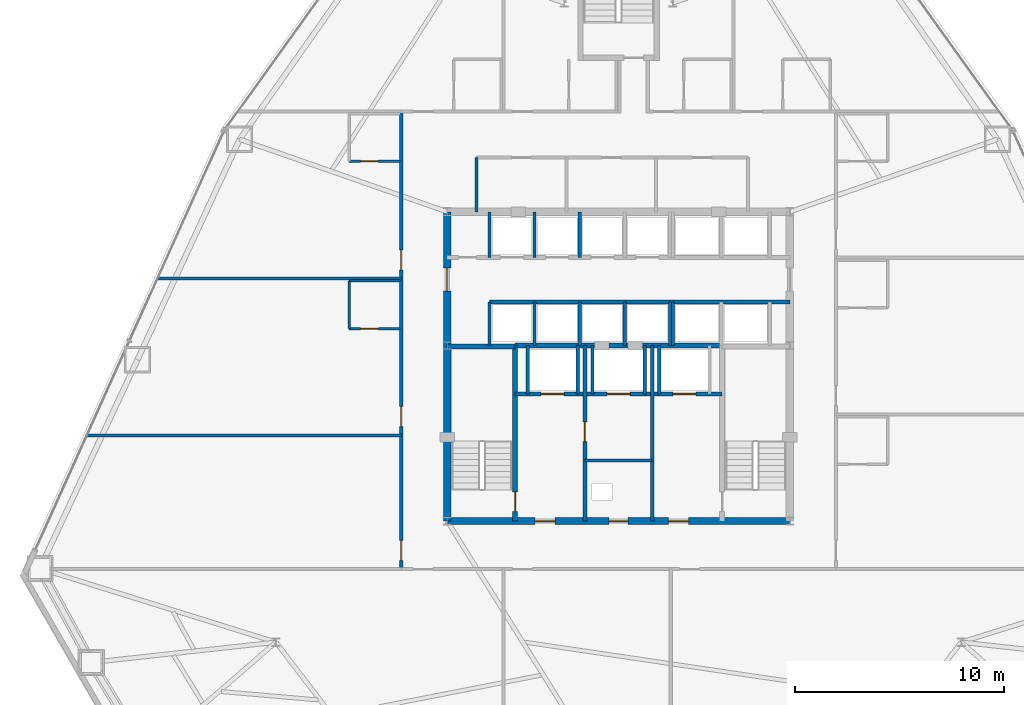
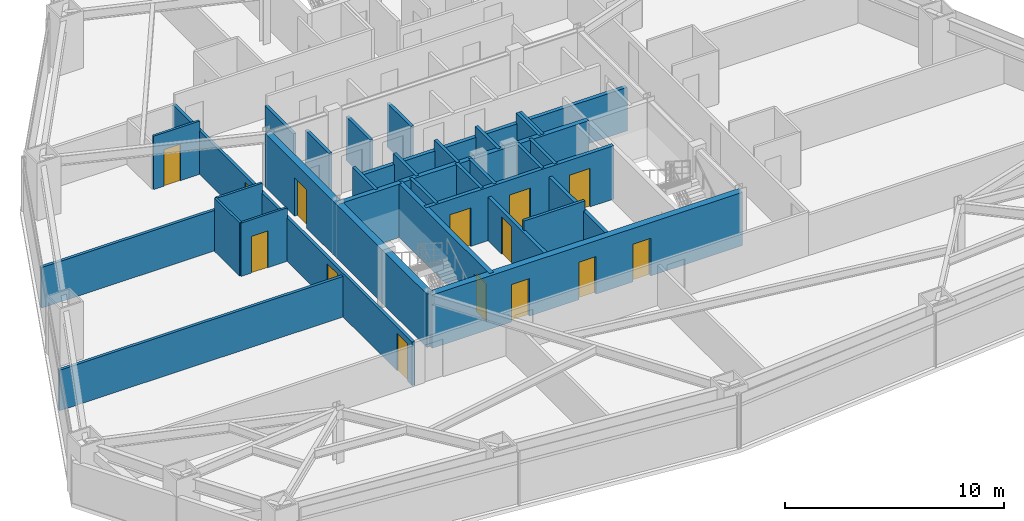
# One storey, part 9 of 12: 32 walls, 14 doors, 14 openings.
"""IFC4 building model written with IfcOpenShell, lengths in metres."""

from ifc_helpers import new_model, si_unit, direction, frame, frame_2d, origin, place, context, subcontext, project, spatial, rectangle, extrude, material, layer, layer_set, type_object, element, fill, save


model = new_model("IFC4")

# Units and contexts
model_context = context("Model", 3, precision=1e-05, world=origin(), true_north=direction((0.0, 1.0)))
body_context = subcontext(model_context, "Body", "Model", "MODEL_VIEW")
ifc_project = project(units=[si_unit("LENGTHUNIT", "METRE"), si_unit("AREAUNIT", "SQUARE_METRE"), si_unit("VOLUMEUNIT", "CUBIC_METRE"), si_unit("PLANEANGLEUNIT", "RADIAN"), si_unit("MASSUNIT", "GRAM", prefix="KILO")], contexts=[model_context])

# Site, building, storey
site_placement = place(None, origin())
site = spatial("IfcSite", under=ifc_project, at=site_placement, CompositionType="ELEMENT")
building_placement = place(site_placement, origin())
building = spatial("IfcBuilding", under=site, at=building_placement, Name="Varakhsha Concourse Tower", CompositionType="ELEMENT")
storey_placement = place(building_placement, frame((0.0, 0.0, 30.39990234375)))
storey = spatial("IfcBuildingStorey", under=building, at=storey_placement, Name="L07", CompositionType="ELEMENT", Elevation=30.39990234375)

# Wall, openings, doors
ifc_material_1 = material(Name="Concrete fc 65 MPa", Category="concrete")
ifc_layer_1 = layer(ifc_material_1, 0.35009765625, Name="WL-CORE-350")
ifc_layer_set_1 = layer_set([ifc_layer_1], Name="Concrete fc 65 MPa")
wall_type_1 = type_object("IfcWallType", Name="WL-CORE-350", PredefinedType="SHEAR", material=ifc_layer_set_1)
wall_1_placement = place(storey_placement, frame((31.800048828125, 16.39990234375, 0.0), z_axis=(0.0, 0.0, 1.0), x_axis=(1.0, 0.0, 0.0)))
wall_1 = element("IfcWall", 1, at=wall_1_placement, inside=storey, type_object=wall_type_1, Name="L07 Wall CWALL-S-L07", PredefinedType="SHEAR", context=body_context, shape_type="SweptSolid", body=[
    extrude(rectangle(XDim=16.39990234375, YDim=0.35009765625, at=frame_2d((8.199951171875, 0.0))), origin(), (0.0, 0.0, 1.0), 2.97998046875),
])
opening_1_placement = place(wall_1_placement, frame((7.75, 0.0, 0.0)))
opening_1 = element("IfcOpeningElement", 2, at=opening_1_placement, cuts=wall_1, Name="Opening DF-06", PredefinedType="OPENING", context=body_context, shape_type="SweptSolid", body=[
    extrude(rectangle(XDim=0.89990234375, YDim=2.10009765625, at=frame_2d((0.449951171875, 1.050048828125))), frame((0.0, 0.18505859375, 0.0), z_axis=(0.0, -1.0, 0.0), x_axis=(1.0, 0.0, 0.0)), (0.0, 0.0, 1.0), 0.3701171875),
])
opening_2_placement = place(wall_1_placement, frame((4.199951171875, 0.0, 0.0)))
opening_2 = element("IfcOpeningElement", 3, at=opening_2_placement, cuts=wall_1, Name="Opening DF-05", PredefinedType="OPENING", context=body_context, shape_type="SweptSolid", body=[
    extrude(rectangle(XDim=0.949951171875, YDim=2.10009765625, at=frame_2d((0.47509765625, 1.050048828125))), frame((0.0, 0.18505859375, 0.0), z_axis=(0.0, -1.0, 0.0), x_axis=(1.0, 0.0, 0.0)), (0.0, 0.0, 1.0), 0.3701171875),
])
opening_3_placement = place(wall_1_placement, frame((10.60009765625, 0.0, 0.0)))
opening_3 = element("IfcOpeningElement", 4, at=opening_3_placement, cuts=wall_1, Name="Opening DF-05", PredefinedType="OPENING", context=body_context, shape_type="SweptSolid", body=[
    extrude(rectangle(XDim=0.949951171875, YDim=2.10009765625, at=frame_2d((0.47509765625, 1.050048828125))), frame((0.0, 0.18505859375, 0.0), z_axis=(0.0, -1.0, 0.0), x_axis=(1.0, 0.0, 0.0)), (0.0, 0.0, 1.0), 0.3701171875),
])
ifc_material_2 = material(Name="Hollow Galvanised Steel Fire Door Assembly", Category="steel")
door_type_1 = type_object("IfcDoorType", Name="DR-FD60-900", OperationType="NOTDEFINED", PredefinedType="DOOR", material=ifc_material_2)
door_1_placement = place(opening_1_placement, origin())
door_1 = element("IfcDoor", 5, at=door_1_placement, inside=storey, type_object=door_type_1, Name="L07 Electrical Riser Access Door", OperationType="SINGLE_SWING_LEFT", OverallHeight=2.10009765625, OverallWidth=0.89990234375, PredefinedType="DOOR", context=body_context, shape_type="SweptSolid", body=[
    extrude(rectangle(XDim=0.89990234375, YDim=2.10009765625, at=frame_2d((0.449951171875, 1.050048828125))), frame((0.0, 0.02490234375, 0.0), z_axis=(0.0, -1.0, 0.0), x_axis=(1.0, 0.0, 0.0)), (0.0, 0.0, 1.0), 0.050048828125),
])
fill(opening_1, door_1)
door_type_2 = type_object("IfcDoorType", Name="DR-FD60-950", OperationType="NOTDEFINED", PredefinedType="DOOR", material=ifc_material_2)
door_2_placement = place(opening_2_placement, origin())
door_2 = element("IfcDoor", 6, at=door_2_placement, inside=storey, type_object=door_type_2, Name="L07 Firefighting Lobby West Door", OperationType="SINGLE_SWING_RIGHT", OverallHeight=2.10009765625, OverallWidth=0.949951171875, PredefinedType="DOOR", context=body_context, shape_type="SweptSolid", body=[
    extrude(rectangle(XDim=0.949951171875, YDim=2.10009765625, at=frame_2d((0.47509765625, 1.050048828125))), frame((0.0, 0.02490234375, 0.0), z_axis=(0.0, -1.0, 0.0), x_axis=(1.0, 0.0, 0.0)), (0.0, 0.0, 1.0), 0.050048828125),
])
fill(opening_2, door_2)
door_3_placement = place(opening_3_placement, origin())
door_3 = element("IfcDoor", 7, at=door_3_placement, inside=storey, type_object=door_type_2, Name="L07 Firefighting Lobby East Door", OperationType="SINGLE_SWING_LEFT", OverallHeight=2.10009765625, OverallWidth=0.949951171875, PredefinedType="DOOR", context=body_context, shape_type="SweptSolid", body=[
    extrude(rectangle(XDim=0.949951171875, YDim=2.10009765625, at=frame_2d((0.47509765625, 1.050048828125))), frame((0.0, 0.02490234375, 0.0), z_axis=(0.0, -1.0, 0.0), x_axis=(1.0, 0.0, 0.0)), (0.0, 0.0, 1.0), 0.050048828125),
])
fill(opening_3, door_3)

# Wall, opening, door
wall_2_placement = place(storey_placement, frame((31.800048828125, 16.39990234375, 0.0), z_axis=(0.0, 0.0, 1.0), x_axis=(0.0, 1.0, 0.0)))
wall_2 = element("IfcWall", 8, at=wall_2_placement, inside=storey, type_object=wall_type_1, Name="L07 Wall CWALL-W-L07", PredefinedType="SHEAR", context=body_context, shape_type="SweptSolid", body=[
    extrude(rectangle(XDim=14.800048828125, YDim=0.35009765625, at=frame_2d((7.39990234375, 0.0))), origin(), (0.0, 0.0, 1.0), 2.97998046875),
])
opening_4_placement = place(wall_2_placement, frame((11.0, 0.0, 0.0)))
opening_4 = element("IfcOpeningElement", 9, at=opening_4_placement, cuts=wall_2, Name="Opening DL-01", PredefinedType="OPENING", context=body_context, shape_type="SweptSolid", body=[
    extrude(rectangle(XDim=1.10009765625, YDim=2.14990234375, at=frame_2d((0.550048828125, 1.074951171875))), frame((0.0, 0.18505859375, 0.0), z_axis=(0.0, -1.0, 0.0), x_axis=(1.0, 0.0, 0.0)), (0.0, 0.0, 1.0), 0.3701171875),
])
ifc_material_3 = material(Name="Anodised Bronze Architectural Aluminium AA 6063-T6", Category="aluminium")
door_type_3 = type_object("IfcDoorType", Name="DR-LOB-1100", OperationType="NOTDEFINED", PredefinedType="DOOR", material=ifc_material_3)
door_4_placement = place(opening_4_placement, origin())
door_4 = element("IfcDoor", 10, at=door_4_placement, inside=storey, type_object=door_type_3, Name="L07 Lift Lobby West Concourse Door", OperationType="SINGLE_SWING_LEFT", OverallHeight=2.14990234375, OverallWidth=1.10009765625, PredefinedType="DOOR", context=body_context, shape_type="SweptSolid", body=[
    extrude(rectangle(XDim=1.10009765625, YDim=2.14990234375, at=frame_2d((0.550048828125, 1.074951171875))), frame((0.0, 0.02490234375, 0.0), z_axis=(0.0, -1.0, 0.0), x_axis=(1.0, 0.0, 0.0)), (0.0, 0.0, 1.0), 0.050048828125),
])
fill(opening_4, door_4)

ifc_material_4 = material(Name="Fire-Rated Type X Gypsum Partition Assembly", Category="gypsum")
ifc_layer_2 = layer(ifc_material_4, 0.179931640625, Name="WL-FFLOB-180")
ifc_layer_set_2 = layer_set([ifc_layer_2], Name="Fire-Rated Type X Gypsum Partition Assembly")
wall_type_2 = type_object("IfcWallType", Name="WL-FFLOB-180", PredefinedType="PARTITIONING", material=ifc_layer_set_2)
wall_3_placement = place(storey_placement, frame((38.389892578125, 16.39990234375, 0.0), z_axis=(0.0, 0.0, 1.0), x_axis=(0.0, 1.0, 0.0)))
wall_3 = element("IfcWall", 11, at=wall_3_placement, inside=storey, type_object=wall_type_2, Name="L07 Wall FFW-1E-L07", PredefinedType="PARTITIONING", context=body_context, shape_type="SweptSolid", body=[
    extrude(rectangle(XDim=8.400146484375, YDim=0.179931640625, at=frame_2d((4.2001953125, 0.0))), origin(), (0.0, 0.0, 1.0), 2.43115234375),
])
opening_5_placement = place(wall_3_placement, frame((3.800048828125, 0.0, 0.0)))
opening_5 = element("IfcOpeningElement", 12, at=opening_5_placement, cuts=wall_3, Name="Opening DF-05", PredefinedType="OPENING", context=body_context, shape_type="SweptSolid", body=[
    extrude(rectangle(XDim=0.949951171875, YDim=2.10009765625, at=frame_2d((0.47509765625, 1.050048828125))), frame((0.0, 0.099853515625, 0.0), z_axis=(0.0, -1.0, 0.0), x_axis=(1.0, 0.0, 0.0)), (0.0, 0.0, 1.0), 0.199951171875),
])
door_5_placement = place(opening_5_placement, origin())
door_5 = element("IfcDoor", 13, at=door_5_placement, inside=storey, type_object=door_type_2, Name="L07 Service Vestibule Door", OperationType="SINGLE_SWING_RIGHT", OverallHeight=2.10009765625, OverallWidth=0.949951171875, PredefinedType="DOOR", context=body_context, shape_type="SweptSolid", body=[
    extrude(rectangle(XDim=0.949951171875, YDim=2.10009765625, at=frame_2d((0.47509765625, 1.050048828125))), frame((0.0, 0.02490234375, 0.0), z_axis=(0.0, -1.0, 0.0), x_axis=(1.0, 0.0, 0.0)), (0.0, 0.0, 1.0), 0.050048828125),
])
fill(opening_5, door_5)

# Walls
wall_4_placement = place(storey_placement, frame((41.610107421875, 16.39990234375, 0.0), z_axis=(0.0, 0.0, 1.0), x_axis=(0.0, 1.0, 0.0)))
element("IfcWall", 14, at=wall_4_placement, inside=storey, type_object=wall_type_2, Name="L07 Wall FFW-2W-L07", PredefinedType="PARTITIONING", context=body_context, shape_type="SweptSolid", body=[
    extrude(rectangle(XDim=8.400146484375, YDim=0.179931640625, at=frame_2d((4.2001953125, 0.0))), origin(), (0.0, 0.0, 1.0), 2.43115234375),
])
ifc_material_5 = material(Name="Acoustic Gypsum Board Partition Assembly", Category="gypsum")
ifc_layer_3 = layer(ifc_material_5, 0.1201171875, Name="WL-PART-120")
ifc_layer_set_3 = layer_set([ifc_layer_3], Name="Acoustic Gypsum Board Partition Assembly")
wall_type_3 = type_object("IfcWallType", Name="WL-PART-120", PredefinedType="PARTITIONING", material=ifc_layer_set_3)
wall_5_placement = place(storey_placement, frame((27.110107421875, 25.610107421875, 0.0), z_axis=(0.0, 0.0, 1.0), x_axis=(0.0, 1.0, 0.0)))
element("IfcWall", 15, at=wall_5_placement, inside=storey, type_object=wall_type_3, Name="L07 Wall ENSW-W-L07-H05", PredefinedType="PARTITIONING", context=body_context, shape_type="SweptSolid", body=[
    extrude(rectangle(XDim=2.27978515625, YDim=0.1201171875, at=frame_2d((1.139892578125, 0.0))), origin(), (0.0, 0.0, 1.0), 2.97998046875),
])

# Wall, opening, door
wall_6_placement = place(storey_placement, frame((27.110107421875, 25.610107421875, 0.0), z_axis=(0.0, 0.0, 1.0), x_axis=(1.0, 0.0, 0.0)))
wall_6 = element("IfcWall", 16, at=wall_6_placement, inside=storey, type_object=wall_type_3, Name="L07 Wall ENSW-S-L07-H05", PredefinedType="PARTITIONING", context=body_context, shape_type="SweptSolid", body=[
    extrude(rectangle(XDim=2.429931640625, YDim=0.1201171875, at=frame_2d((1.21484375, 0.0))), origin(), (0.0, 0.0, 1.0), 2.97998046875),
])
opening_6_placement = place(wall_6_placement, frame((0.550048828125, 0.0, 0.0)))
opening_6 = element("IfcOpeningElement", 17, at=opening_6_placement, cuts=wall_6, Name="Opening DI-01", PredefinedType="OPENING", context=body_context, shape_type="SweptSolid", body=[
    extrude(rectangle(XDim=0.85009765625, YDim=2.050048828125, at=frame_2d((0.425048828125, 1.02490234375))), frame((0.0, 0.070068359375, 0.0), z_axis=(0.0, -1.0, 0.0), x_axis=(1.0, 0.0, 0.0)), (0.0, 0.0, 1.0), 0.14013671875),
])
ifc_material_6 = material(Name="Architectural Walnut Acoustic Timber Door", Category="wood")
door_type_4 = type_object("IfcDoorType", Name="DR-INT-850", OperationType="NOTDEFINED", PredefinedType="DOOR", material=ifc_material_6)
door_6_placement = place(opening_6_placement, origin())
door_6 = element("IfcDoor", 18, at=door_6_placement, inside=storey, type_object=door_type_4, Name="L07 En-suite Bathroom Door L07-H05", OperationType="SINGLE_SWING_RIGHT", OverallHeight=2.050048828125, OverallWidth=0.85009765625, PredefinedType="DOOR", context=body_context, shape_type="SweptSolid", body=[
    extrude(rectangle(XDim=0.85009765625, YDim=2.050048828125, at=frame_2d((0.425048828125, 1.02490234375))), frame((0.0, 0.02490234375, 0.0), z_axis=(0.0, -1.0, 0.0), x_axis=(1.0, 0.0, 0.0)), (0.0, 0.0, 1.0), 0.050048828125),
])
fill(opening_6, door_6)

# Wall
wall_7_placement = place(storey_placement, frame((27.110107421875, 27.889892578125, 0.0), z_axis=(0.0, 0.0, 1.0), x_axis=(1.0, 0.0, 0.0)))
element("IfcWall", 19, at=wall_7_placement, inside=storey, type_object=wall_type_3, Name="L07 Wall ENSW-N-L07-H05", PredefinedType="PARTITIONING", context=body_context, shape_type="SweptSolid", body=[
    extrude(rectangle(XDim=2.429931640625, YDim=0.1201171875, at=frame_2d((1.21484375, 0.0))), origin(), (0.0, 0.0, 1.0), 2.97998046875),
])

# Wall, opening, door
wall_8_placement = place(storey_placement, frame((27.110107421875, 33.610107421875, 0.0), z_axis=(0.0, 0.0, 1.0), x_axis=(1.0, 0.0, 0.0)))
wall_8 = element("IfcWall", 20, at=wall_8_placement, inside=storey, type_object=wall_type_3, Name="L07 Wall ENSW-S-L07-H06", PredefinedType="PARTITIONING", context=body_context, shape_type="SweptSolid", body=[
    extrude(rectangle(XDim=2.429931640625, YDim=0.1201171875, at=frame_2d((1.21484375, 0.0))), origin(), (0.0, 0.0, 1.0), 2.97998046875),
])
opening_7_placement = place(wall_8_placement, frame((0.550048828125, 0.0, 0.0)))
opening_7 = element("IfcOpeningElement", 21, at=opening_7_placement, cuts=wall_8, Name="Opening DI-01", PredefinedType="OPENING", context=body_context, shape_type="SweptSolid", body=[
    extrude(rectangle(XDim=0.85009765625, YDim=2.050048828125, at=frame_2d((0.425048828125, 1.02490234375))), frame((0.0, 0.070068359375, 0.0), z_axis=(0.0, -1.0, 0.0), x_axis=(1.0, 0.0, 0.0)), (0.0, 0.0, 1.0), 0.14013671875),
])
door_7_placement = place(opening_7_placement, origin())
door_7 = element("IfcDoor", 22, at=door_7_placement, inside=storey, type_object=door_type_4, Name="L07 En-suite Bathroom Door L07-H06", OperationType="SINGLE_SWING_RIGHT", OverallHeight=2.050048828125, OverallWidth=0.85009765625, PredefinedType="DOOR", context=body_context, shape_type="SweptSolid", body=[
    extrude(rectangle(XDim=0.85009765625, YDim=2.050048828125, at=frame_2d((0.425048828125, 1.02490234375))), frame((0.0, 0.02490234375, 0.0), z_axis=(0.0, -1.0, 0.0), x_axis=(1.0, 0.0, 0.0)), (0.0, 0.0, 1.0), 0.050048828125),
])
fill(opening_7, door_7)

# Walls
ifc_layer_4 = layer(ifc_material_4, 0.14990234375, Name="WL-PART-150")
ifc_layer_set_4 = layer_set([ifc_layer_4], Name="Fire-Rated Type X Gypsum Partition Assembly")
wall_type_4 = type_object("IfcWallType", Name="WL-PART-150", PredefinedType="PARTITIONING", material=ifc_layer_set_4)
wall_9_placement = place(storey_placement, frame((38.389892578125, 19.300048828125, 0.0), z_axis=(0.0, 0.0, 1.0), x_axis=(1.0, 0.0, 0.0)))
element("IfcWall", 23, at=wall_9_placement, inside=storey, type_object=wall_type_4, Name="L07 Wall RSW-H-L07", PredefinedType="PARTITIONING", context=body_context, shape_type="SweptSolid", body=[
    extrude(rectangle(XDim=3.22021484375, YDim=0.14990234375, at=frame_2d((1.610107421875, 0.0))), origin(), (0.0, 0.0, 1.0), 2.97998046875),
])
wall_10_placement = place(storey_placement, frame((33.199951171875, 31.199951171875, 0.0), z_axis=(0.0, 0.0, 1.0), x_axis=(0.0, 1.0, 0.0)))
element("IfcWall", 24, at=wall_10_placement, inside=storey, type_object=wall_type_4, Name="L07 Wall NBOH-W-L07", PredefinedType="PARTITIONING", context=body_context, shape_type="SweptSolid", body=[
    extrude(rectangle(XDim=2.60009765625, YDim=0.14990234375, at=frame_2d((1.300048828125, 0.0))), origin(), (0.0, 0.0, 1.0), 2.43115234375),
])

# Wall, openings, doors
wall_11_placement = place(storey_placement, frame((29.60009765625, 14.10009765625, 0.0), z_axis=(0.0, 0.0, 1.0), x_axis=(0.0, 1.0, 0.0)))
wall_11 = element("IfcWall", 25, at=wall_11_placement, inside=storey, type_object=wall_type_4, Name="L07 Wall CRW-W-L07", PredefinedType="PARTITIONING", context=body_context, shape_type="SweptSolid", body=[
    extrude(rectangle(XDim=21.89990234375, YDim=0.14990234375, at=frame_2d((10.949951171875, 0.0))), origin(), (0.0, 0.0, 1.0), 2.43115234375),
])
opening_8_placement = place(wall_11_placement, frame((0.419921875, 0.0, 0.0)))
opening_8 = element("IfcOpeningElement", 26, at=opening_8_placement, cuts=wall_11, Name="Opening DF-05", PredefinedType="OPENING", context=body_context, shape_type="SweptSolid", body=[
    extrude(rectangle(XDim=0.949951171875, YDim=2.10009765625, at=frame_2d((0.47509765625, 1.050048828125))), frame((0.0, 0.0849609375, 0.0), z_axis=(0.0, -1.0, 0.0), x_axis=(1.0, 0.0, 0.0)), (0.0, 0.0, 1.0), 0.169921875),
])
opening_9_placement = place(wall_11_placement, frame((6.820068359375, 0.0, 0.0)))
opening_9 = element("IfcOpeningElement", 27, at=opening_9_placement, cuts=wall_11, Name="Opening DF-05", PredefinedType="OPENING", context=body_context, shape_type="SweptSolid", body=[
    extrude(rectangle(XDim=0.949951171875, YDim=2.10009765625, at=frame_2d((0.47509765625, 1.050048828125))), frame((0.0, 0.0849609375, 0.0), z_axis=(0.0, -1.0, 0.0), x_axis=(1.0, 0.0, 0.0)), (0.0, 0.0, 1.0), 0.169921875),
])
opening_10_placement = place(wall_11_placement, frame((14.320068359375, 0.0, 0.0)))
opening_10 = element("IfcOpeningElement", 28, at=opening_10_placement, cuts=wall_11, Name="Opening DF-05", PredefinedType="OPENING", context=body_context, shape_type="SweptSolid", body=[
    extrude(rectangle(XDim=0.949951171875, YDim=2.10009765625, at=frame_2d((0.47509765625, 1.050048828125))), frame((0.0, 0.0849609375, 0.0), z_axis=(0.0, -1.0, 0.0), x_axis=(1.0, 0.0, 0.0)), (0.0, 0.0, 1.0), 0.169921875),
])
door_8_placement = place(opening_8_placement, origin())
door_8 = element("IfcDoor", 29, at=door_8_placement, inside=storey, type_object=door_type_2, Name="L07 Hospitality Club Lounge L07-H04 Door", OperationType="SINGLE_SWING_RIGHT", OverallHeight=2.10009765625, OverallWidth=0.949951171875, PredefinedType="DOOR", context=body_context, shape_type="SweptSolid", body=[
    extrude(rectangle(XDim=0.949951171875, YDim=2.10009765625, at=frame_2d((0.47509765625, 1.050048828125))), frame((0.0, 0.02490234375, 0.0), z_axis=(0.0, -1.0, 0.0), x_axis=(1.0, 0.0, 0.0)), (0.0, 0.0, 1.0), 0.050048828125),
])
fill(opening_8, door_8)
door_9_placement = place(opening_9_placement, origin())
door_9 = element("IfcDoor", 30, at=door_9_placement, inside=storey, type_object=door_type_2, Name="L07 Hotel Corner Suite L07-H05 Entry Door", OperationType="SINGLE_SWING_LEFT", OverallHeight=2.10009765625, OverallWidth=0.949951171875, PredefinedType="DOOR", context=body_context, shape_type="SweptSolid", body=[
    extrude(rectangle(XDim=0.949951171875, YDim=2.10009765625, at=frame_2d((0.47509765625, 1.050048828125))), frame((0.0, 0.02490234375, 0.0), z_axis=(0.0, -1.0, 0.0), x_axis=(1.0, 0.0, 0.0)), (0.0, 0.0, 1.0), 0.050048828125),
])
fill(opening_9, door_9)
door_10_placement = place(opening_10_placement, origin())
door_10 = element("IfcDoor", 31, at=door_10_placement, inside=storey, type_object=door_type_2, Name="L07 Hotel Corner Suite L07-H06 Entry Door", OperationType="SINGLE_SWING_RIGHT", OverallHeight=2.10009765625, OverallWidth=0.949951171875, PredefinedType="DOOR", context=body_context, shape_type="SweptSolid", body=[
    extrude(rectangle(XDim=0.949951171875, YDim=2.10009765625, at=frame_2d((0.47509765625, 1.050048828125))), frame((0.0, 0.02490234375, 0.0), z_axis=(0.0, -1.0, 0.0), x_axis=(1.0, 0.0, 0.0)), (0.0, 0.0, 1.0), 0.050048828125),
])
fill(opening_10, door_10)

# Walls
wall_12_placement = place(storey_placement, frame((14.5595703125, 20.5, 0.0), z_axis=(0.0, 0.0, 1.0), x_axis=(1.0, 0.0, 0.0)))
element("IfcWall", 32, at=wall_12_placement, inside=storey, type_object=wall_type_4, Name="L07 Wall HDIV-W1-L07", PredefinedType="PARTITIONING", context=body_context, shape_type="SweptSolid", body=[
    extrude(rectangle(XDim=15.04052734375, YDim=0.14990234375, at=frame_2d((7.520263671875, 0.0))), origin(), (0.0, 0.0, 1.0), 2.26806640625),
])
wall_13_placement = place(storey_placement, frame((17.937744140625, 28.0, 0.0), z_axis=(0.0, 0.0, 1.0), x_axis=(1.0, 0.0, 0.0)))
element("IfcWall", 33, at=wall_13_placement, inside=storey, type_object=wall_type_4, Name="L07 Wall HDIV-W2-L07", PredefinedType="PARTITIONING", context=body_context, shape_type="SweptSolid", body=[
    extrude(rectangle(XDim=11.662353515625, YDim=0.14990234375, at=frame_2d((5.8310546875, 0.0))), origin(), (0.0, 0.0, 1.0), 2.26806640625),
])

# Wall, openings, doors
ifc_layer_5 = layer(ifc_material_4, 0.199951171875, Name="WL-SHAFT-220")
ifc_layer_set_5 = layer_set([ifc_layer_5], Name="Fire-Rated Type X Gypsum Partition Assembly")
wall_type_5 = type_object("IfcWallType", Name="WL-SHAFT-220", PredefinedType="SOLIDWALL", material=ifc_layer_set_5)
wall_14_placement = place(storey_placement, frame((35.044921875, 22.47998046875, 0.0), z_axis=(0.0, 0.0, 1.0), x_axis=(1.0, 0.0, 0.0)))
wall_14 = element("IfcWall", 34, at=wall_14_placement, inside=storey, type_object=wall_type_5, Name="L07 Wall FFW-NH-L07", PredefinedType="SOLIDWALL", context=body_context, shape_type="SweptSolid", body=[
    extrude(rectangle(XDim=9.91015625, YDim=0.199951171875, at=frame_2d((4.955078125, 0.0))), origin(), (0.0, 0.0, 1.0), 2.97998046875),
])
opening_11_placement = place(wall_14_placement, frame((1.2548828125, 0.0, 0.0)))
opening_11 = element("IfcOpeningElement", 35, at=opening_11_placement, cuts=wall_14, Name="Opening LD-FFL-1", PredefinedType="OPENING", context=body_context, shape_type="SweptSolid", body=[
    extrude(rectangle(XDim=1.10009765625, YDim=2.14990234375, at=frame_2d((0.550048828125, 1.074951171875))), frame((0.0, 0.10986328125, 0.0), z_axis=(0.0, -1.0, 0.0), x_axis=(1.0, 0.0, 0.0)), (0.0, 0.0, 1.0), 0.219970703125),
])
opening_12_placement = place(wall_14_placement, frame((7.554931640625, 0.0, 0.0)))
opening_12 = element("IfcOpeningElement", 36, at=opening_12_placement, cuts=wall_14, Name="Opening LD-FFL-2", PredefinedType="OPENING", context=body_context, shape_type="SweptSolid", body=[
    extrude(rectangle(XDim=1.10009765625, YDim=2.14990234375, at=frame_2d((0.550048828125, 1.074951171875))), frame((0.0, 0.10986328125, 0.0), z_axis=(0.0, -1.0, 0.0), x_axis=(1.0, 0.0, 0.0)), (0.0, 0.0, 1.0), 0.219970703125),
])
opening_13_placement = place(wall_14_placement, frame((4.405029296875, 0.0, 0.0)))
opening_13 = element("IfcOpeningElement", 37, at=opening_13_placement, cuts=wall_14, Name="Opening LD-SVL-1", PredefinedType="OPENING", context=body_context, shape_type="SweptSolid", body=[
    extrude(rectangle(XDim=1.10009765625, YDim=2.14990234375, at=frame_2d((0.550048828125, 1.074951171875))), frame((0.0, 0.10986328125, 0.0), z_axis=(0.0, -1.0, 0.0), x_axis=(1.0, 0.0, 0.0)), (0.0, 0.0, 1.0), 0.219970703125),
])
ifc_material_7 = material(Name="Brushed Austenitic Stainless Steel AISI 316", Category="steel")
door_type_5 = type_object("IfcDoorType", Name="DR-LD-1100", OperationType="DOUBLE_DOOR_SLIDING", PredefinedType="DOOR", material=ifc_material_7)
door_11_placement = place(opening_11_placement, origin())
door_11 = element("IfcDoor", 38, at=door_11_placement, inside=storey, type_object=door_type_5, Name="Lift Landing Door FFL-1 L07", OperationType="DOUBLE_DOOR_SLIDING", OverallHeight=2.14990234375, OverallWidth=1.10009765625, PredefinedType="DOOR", context=body_context, shape_type="SweptSolid", body=[
    extrude(rectangle(XDim=1.10009765625, YDim=2.14990234375, at=frame_2d((0.550048828125, 1.074951171875))), frame((0.0, 0.02490234375, 0.0), z_axis=(0.0, -1.0, 0.0), x_axis=(1.0, 0.0, 0.0)), (0.0, 0.0, 1.0), 0.050048828125),
])
fill(opening_11, door_11)
door_12_placement = place(opening_12_placement, origin())
door_12 = element("IfcDoor", 39, at=door_12_placement, inside=storey, type_object=door_type_5, Name="Lift Landing Door FFL-2 L07", OperationType="DOUBLE_DOOR_SLIDING", OverallHeight=2.14990234375, OverallWidth=1.10009765625, PredefinedType="DOOR", context=body_context, shape_type="SweptSolid", body=[
    extrude(rectangle(XDim=1.10009765625, YDim=2.14990234375, at=frame_2d((0.550048828125, 1.074951171875))), frame((0.0, 0.02490234375, 0.0), z_axis=(0.0, -1.0, 0.0), x_axis=(1.0, 0.0, 0.0)), (0.0, 0.0, 1.0), 0.050048828125),
])
fill(opening_12, door_12)
door_13_placement = place(opening_13_placement, origin())
door_13 = element("IfcDoor", 40, at=door_13_placement, inside=storey, type_object=door_type_5, Name="Lift Landing Door SVL-1 L07", OperationType="DOUBLE_DOOR_SLIDING", OverallHeight=2.14990234375, OverallWidth=1.10009765625, PredefinedType="DOOR", context=body_context, shape_type="SweptSolid", body=[
    extrude(rectangle(XDim=1.10009765625, YDim=2.14990234375, at=frame_2d((0.550048828125, 1.074951171875))), frame((0.0, 0.02490234375, 0.0), z_axis=(0.0, -1.0, 0.0), x_axis=(1.0, 0.0, 0.0)), (0.0, 0.0, 1.0), 0.050048828125),
])
fill(opening_13, door_13)

# Walls
for number, where, z_axis, x_axis, name in (
    (41, (35.64990234375, 22.47998046875, 0.0), (0.0, 0.0, 1.0), (0.0, 1.0, 0.0), "L07 Wall SHW-FFL-1-W-L07"),
    (42, (38.050048828125, 22.47998046875, 0.0), (0.0, 0.0, 1.0), (0.0, 1.0, 0.0), "L07 Wall SHW-FFL-1-E-L07"),
    (43, (41.949951171875, 22.47998046875, 0.0), (0.0, 0.0, 1.0), (0.0, 1.0, 0.0), "L07 Wall SHW-FFL-2-W-L07"),
    (44, (38.75, 22.47998046875, 0.0), (0.0, 0.0, 1.0), (0.0, 1.0, 0.0), "L07 Wall SHW-SVL-1-W-L07"),
    (45, (41.25, 22.47998046875, 0.0), (0.0, 0.0, 1.0), (0.0, 1.0, 0.0), "L07 Wall SHW-SVL-1-E-L07"),
):
    element("IfcWall", number, at=place(storey_placement, frame(where, z_axis=z_axis, x_axis=x_axis)), inside=storey, type_object=wall_type_5, Name=name, PredefinedType="SOLIDWALL", context=body_context, shape_type="SweptSolid", body=[
        extrude(rectangle(XDim=2.320068359375, YDim=0.159912109375, at=frame_2d((1.16015625, 0.0))), origin(), (0.0, 0.0, 1.0), 2.97998046875),
    ])
wall_15_placement = place(storey_placement, frame((33.820068359375, 26.8798828125, 0.0), z_axis=(0.0, 0.0, 1.0), x_axis=(1.0, 0.0, 0.0)))
element("IfcWall", 46, at=wall_15_placement, inside=storey, type_object=wall_type_5, Name="L07 Wall PLW-S-L07", PredefinedType="SOLIDWALL", context=body_context, shape_type="SweptSolid", body=[
    extrude(rectangle(XDim=14.3798828125, YDim=0.199951171875, at=frame_2d((7.18994140625, 0.0))), origin(), (0.0, 0.0, 1.0), 2.43115234375),
])
wall_16_placement = place(storey_placement, frame((33.820068359375, 29.02001953125, 0.0), z_axis=(0.0, 0.0, 1.0), x_axis=(0.0, 1.0, 0.0)))
element("IfcWall", 47, at=wall_16_placement, inside=storey, type_object=wall_type_5, Name="L07 Wall WBOH-E1-L07", PredefinedType="SOLIDWALL", context=body_context, shape_type="SweptSolid", body=[
    extrude(rectangle(XDim=2.179931640625, YDim=0.159912109375, at=frame_2d((1.08984375, 0.0))), origin(), (0.0, 0.0, 1.0), 2.43115234375),
])
wall_17_placement = place(storey_placement, frame((33.820068359375, 24.800048828125, 0.0), z_axis=(0.0, 0.0, 1.0), x_axis=(0.0, 1.0, 0.0)))
element("IfcWall", 48, at=wall_17_placement, inside=storey, type_object=wall_type_5, Name="L07 Wall WBOH-E2-L07", PredefinedType="SOLIDWALL", context=body_context, shape_type="SweptSolid", body=[
    extrude(rectangle(XDim=2.079833984375, YDim=0.159912109375, at=frame_2d((1.0400390625, 0.0))), origin(), (0.0, 0.0, 1.0), 2.97998046875),
])
for number, where, z_axis, x_axis, name in (
    (49, (35.97998046875, 29.02001953125, 0.0), (0.0, 0.0, 1.0), (0.0, 1.0, 0.0), "L07 Wall SHW-LF-P01-E-L07"),
    (50, (38.139892578125, 29.02001953125, 0.0), (0.0, 0.0, 1.0), (0.0, 1.0, 0.0), "L07 Wall SHW-LF-P02-E-L07"),
):
    element("IfcWall", number, at=place(storey_placement, frame(where, z_axis=z_axis, x_axis=x_axis)), inside=storey, type_object=wall_type_5, Name=name, PredefinedType="SOLIDWALL", context=body_context, shape_type="SweptSolid", body=[
        extrude(rectangle(XDim=2.179931640625, YDim=0.159912109375, at=frame_2d((1.08984375, 0.0))), origin(), (0.0, 0.0, 1.0), 2.43115234375),
    ])
for number, where, z_axis, x_axis, name in (
    (51, (35.97998046875, 24.800048828125, 0.0), (0.0, 0.0, 1.0), (0.0, 1.0, 0.0), "L07 Wall SHW-LF-P05-E-L07"),
    (52, (38.139892578125, 24.800048828125, 0.0), (0.0, 0.0, 1.0), (0.0, 1.0, 0.0), "L07 Wall SHW-LF-P06-E-L07"),
    (53, (40.300048828125, 24.800048828125, 0.0), (0.0, 0.0, 1.0), (0.0, 1.0, 0.0), "L07 Wall SHW-LF-P07-E-L07"),
    (54, (42.4599609375, 24.800048828125, 0.0), (0.0, 0.0, 1.0), (0.0, 1.0, 0.0), "L07 Wall SHW-LF-P08-E-L07"),
    (55, (42.60009765625, 24.800048828125, 0.0), (0.0, 0.0, 1.0), (0.0, 1.0, 0.0), "L07 Wall SHW-LF-P11-W-L07"),
):
    element("IfcWall", number, at=place(storey_placement, frame(where, z_axis=z_axis, x_axis=x_axis)), inside=storey, type_object=wall_type_5, Name=name, PredefinedType="SOLIDWALL", context=body_context, shape_type="SweptSolid", body=[
        extrude(rectangle(XDim=2.079833984375, YDim=0.159912109375, at=frame_2d((1.0400390625, 0.0))), origin(), (0.0, 0.0, 1.0), 2.97998046875),
    ])

# Wall, opening, door
ifc_material_8 = material(Name="Concrete fc 45 MPa", Category="concrete")
ifc_layer_6 = layer(ifc_material_8, 0.25, Name="WL-STAIR-250")
ifc_layer_set_6 = layer_set([ifc_layer_6], Name="Concrete fc 45 MPa")
wall_type_6 = type_object("IfcWallType", Name="WL-STAIR-250", PredefinedType="SHEAR", material=ifc_layer_set_6)
wall_18_placement = place(storey_placement, frame((35.044921875, 16.39990234375, 0.0), z_axis=(0.0, 0.0, 1.0), x_axis=(0.0, 1.0, 0.0)))
wall_18 = element("IfcWall", 56, at=wall_18_placement, inside=storey, type_object=wall_type_6, Name="L07 Wall SWALL-ST1-E-L07", PredefinedType="SHEAR", context=body_context, shape_type="SweptSolid", body=[
    extrude(rectangle(XDim=8.400146484375, YDim=0.25, at=frame_2d((4.2001953125, 0.0))), origin(), (0.0, 0.0, 1.0), 2.97998046875),
])
opening_14_placement = place(wall_18_placement, frame((0.449951171875, 0.0, 0.0)))
opening_14 = element("IfcOpeningElement", 57, at=opening_14_placement, cuts=wall_18, Name="Opening DF-03", PredefinedType="OPENING", context=body_context, shape_type="SweptSolid", body=[
    extrude(rectangle(XDim=0.949951171875, YDim=2.10009765625, at=frame_2d((0.47509765625, 1.050048828125))), frame((0.0, 0.135009765625, 0.0), z_axis=(0.0, -1.0, 0.0), x_axis=(1.0, 0.0, 0.0)), (0.0, 0.0, 1.0), 0.27001953125),
])
door_type_6 = type_object("IfcDoorType", Name="DR-FD90-950", OperationType="NOTDEFINED", PredefinedType="DOOR", material=ifc_material_2)
door_14_placement = place(opening_14_placement, origin())
door_14 = element("IfcDoor", 58, at=door_14_placement, inside=storey, type_object=door_type_6, Name="L07 Stair ST1 Fire Door", OperationType="SINGLE_SWING_LEFT", OverallHeight=2.10009765625, OverallWidth=0.949951171875, PredefinedType="DOOR", context=body_context, shape_type="SweptSolid", body=[
    extrude(rectangle(XDim=0.949951171875, YDim=2.10009765625, at=frame_2d((0.47509765625, 1.050048828125))), frame((0.0, 0.02490234375, 0.0), z_axis=(0.0, -1.0, 0.0), x_axis=(1.0, 0.0, 0.0)), (0.0, 0.0, 1.0), 0.050048828125),
])
fill(opening_14, door_14)

# Walls
wall_19_placement = place(storey_placement, frame((31.800048828125, 24.7548828125, 0.0), z_axis=(0.0, 0.0, 1.0), x_axis=(1.0, 0.0, 0.0)))
element("IfcWall", 59, at=wall_19_placement, inside=storey, type_object=wall_type_6, Name="L07 Wall SWALL-ST1-N-L07", PredefinedType="SHEAR", context=body_context, shape_type="SweptSolid", body=[
    extrude(rectangle(XDim=3.244873046875, YDim=0.25, at=frame_2d((1.62255859375, 0.0))), origin(), (0.0, 0.0, 1.0), 2.97998046875),
])
wall_20_placement = place(storey_placement, frame((35.044921875, 24.800048828125, 0.0), z_axis=(0.0, 0.0, 1.0), x_axis=(1.0, 0.0, 0.0)))
element("IfcWall", 60, at=wall_20_placement, inside=storey, type_object=wall_type_6, Name="L07 Wall SWALL-MID-H-L07", PredefinedType="SHEAR", context=body_context, shape_type="SweptSolid", body=[
    extrude(rectangle(XDim=9.91015625, YDim=0.25, at=frame_2d((4.955078125, 0.0))), origin(), (0.0, 0.0, 1.0), 2.97998046875),
])

save(model, "model.ifc")
